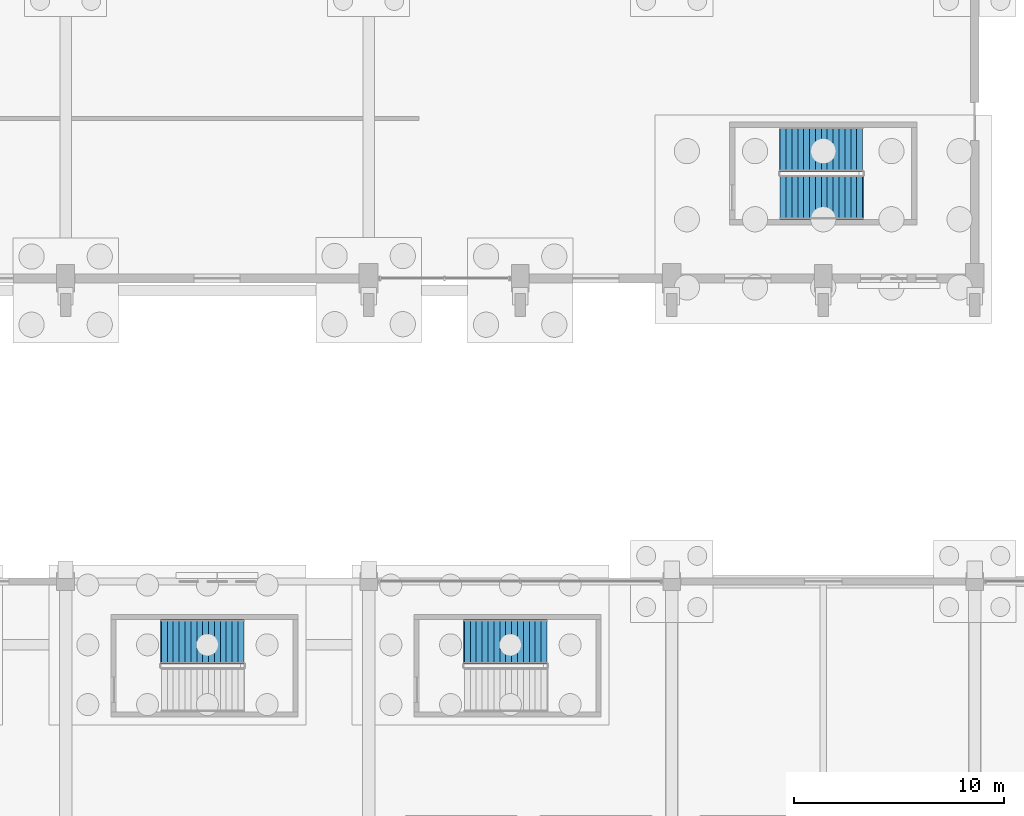
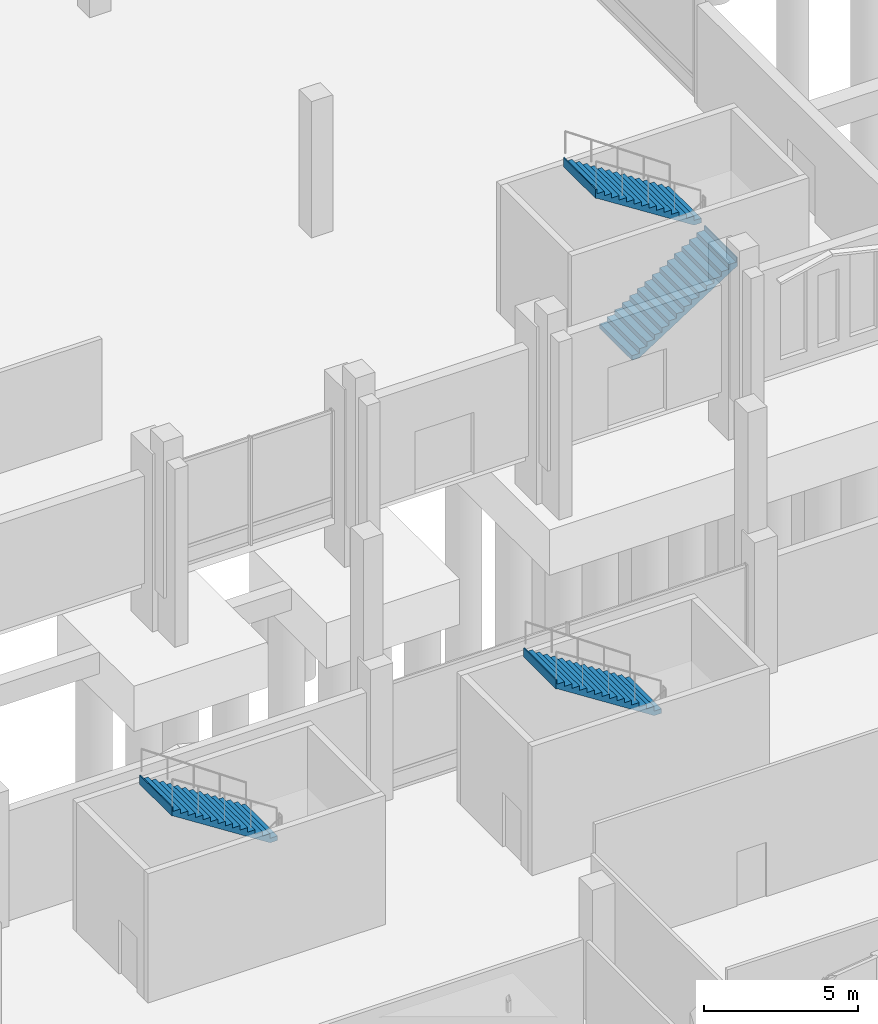
# One storey, part 161 of 192: 4 stair flights, 3 elements without a shape of their own.
"""IFC4 building model written with IfcOpenShell, lengths in metres."""

from ifc_helpers import new_model, si_unit, direction, frame, origin, place, context, subcontext, project, spatial, triangles, material, type_object, element, aggregate, save


model = new_model("IFC4")

# Units and contexts
model_context = context("Model", 3, precision=1e-05, world=origin(), true_north=direction((0.0, 1.0)))
body_context = subcontext(model_context, "Body", "Model", "MODEL_VIEW")
ifc_project = project(units=[si_unit("LENGTHUNIT", "METRE"), si_unit("AREAUNIT", "SQUARE_METRE"), si_unit("VOLUMEUNIT", "CUBIC_METRE"), si_unit("PLANEANGLEUNIT", "RADIAN"), si_unit("MASSUNIT", "GRAM", prefix="KILO")], contexts=[model_context])

# Site, building, storey
site_placement = place(None, origin())
site = spatial("IfcSite", under=ifc_project, at=site_placement, CompositionType="ELEMENT")
building_placement = place(site_placement, origin())
building = spatial("IfcBuilding", under=site, at=building_placement, Name="Cendralis Lancet Convention Centre", CompositionType="ELEMENT")
storey_placement = place(building_placement, origin())
storey = spatial("IfcBuildingStorey", under=building, at=storey_placement, Name="L00", CompositionType="ELEMENT", Elevation=0.0)

# Stair, stair flights
ifc_material = material(Name="Concrete G35 (C35/45)", Category="concrete")
stair_type = type_object("IfcStairType", Name="ARC-ST-CORE", PredefinedType="HALF_TURN_STAIR", material=ifc_material)
stair_1_placement = place(storey_placement, origin())
stair_1 = element("IfcStair", 1, at=stair_1_placement, inside=storey, type_object=stair_type, Name="L00 Protected Exit Stair ST-03", PredefinedType="HALF_TURN_STAIR")
stair_flight_type = type_object("IfcStairFlightType", Name="ARC-SF-CORE", PredefinedType="STRAIGHT", material=ifc_material)
stair_flight_1_placement = place(storey_placement, frame((113.14990234375, 54.25, 0.0), z_axis=(0.0, 0.0, 1.0), x_axis=(1.0, 0.0, 0.0)))
stair_flight_1 = element("IfcStairFlight", 2, at=stair_flight_1_placement, type_object=stair_flight_type, Name="ST-03 flight 1", NumberOfRisers=15, NumberOfTreads=14, PredefinedType="STRAIGHT", RiserHeight=0.18, TreadLength=0.28, context=body_context, shape_type="Tessellation", body=[
    triangles([(0.0, 0.0, 0.09), (0.0, 1.050049, 0.0), (0.0, -1.050049, 0.0), (0.0, -1.050049, 0.18), (0.0, 1.050049, 0.18), (0.138604, 0.0, 0.18), (0.277208, -1.050049, 0.18), (0.277208, 1.050049, 0.18), (0.138604, 0.0, 0.0), (0.277208, -1.050049, 0.0), (0.277208, 1.050049, 0.0), (0.278604, 0.0, 0.18), (0.28, -1.050049, 0.18), (0.28, 1.050049, 0.18), (0.278604, 0.0, 0.000897), (0.28, -1.050049, 0.001795), (0.28, 1.050049, 0.001795), (0.28, 0.0, 0.27), (0.28, -1.050049, 0.36), (0.28, 1.050049, 0.36), (0.42, 0.0, 0.36), (0.56, -1.050049, 0.36), (0.56, 1.050049, 0.36), (0.42, 0.0, 0.091795), (0.56, -1.050049, 0.181795), (0.56, 1.050049, 0.181795), (0.56, 0.0, 0.45), (0.56, -1.050049, 0.54), (0.56, 1.050049, 0.54), (0.7, 0.0, 0.54), (0.84, -1.050049, 0.54), (0.84, 1.050049, 0.54), (0.7, 0.0, 0.271795), (0.84, -1.050049, 0.361795), (0.84, 1.050049, 0.361795), (0.84, 0.0, 0.63), (0.84, -1.050049, 0.72), (0.84, 1.050049, 0.72), (0.98, 0.0, 0.72), (1.12, -1.050049, 0.72), (1.12, 1.050049, 0.72), (0.98, 0.0, 0.451795), (1.12, -1.050049, 0.541795), (1.12, 1.050049, 0.541795), (1.12, 0.0, 0.81), (1.12, -1.050049, 0.9), (1.12, 1.050049, 0.9), (1.26, 0.0, 0.9), (1.4, -1.050049, 0.9), (1.4, 1.050049, 0.9), (1.26, 0.0, 0.631795), (1.4, -1.050049, 0.721795), (1.4, 1.050049, 0.721795), (1.4, 0.0, 0.99), (1.4, -1.050049, 1.08), (1.4, 1.050049, 1.08), (1.54, 0.0, 1.08), (1.68, -1.050049, 1.08), (1.68, 1.050049, 1.08), (1.54, 0.0, 0.811795), (1.68, -1.050049, 0.901795), (1.68, 1.050049, 0.901795), (1.68, 0.0, 1.17), (1.68, -1.050049, 1.26), (1.68, 1.050049, 1.26), (1.82, 0.0, 1.26), (1.96, -1.050049, 1.26), (1.96, 1.050049, 1.26), (1.82, 0.0, 0.991795), (1.96, -1.050049, 1.081795), (1.96, 1.050049, 1.081795), (1.96, 0.0, 1.35), (1.96, -1.050049, 1.44), (1.96, 1.050049, 1.44), (2.1, 0.0, 1.44), (2.24, -1.050049, 1.44), (2.24, 1.050049, 1.44), (2.1, 0.0, 1.171795), (2.24, -1.050049, 1.261795), (2.24, 1.050049, 1.261795), (2.24, 0.0, 1.53), (2.24, -1.050049, 1.62), (2.24, 1.050049, 1.62), (2.38, 0.0, 1.62), (2.52, -1.050049, 1.62), (2.52, 1.050049, 1.62), (2.38, 0.0, 1.351795), (2.52, -1.050049, 1.441795), (2.52, 1.050049, 1.441795), (2.52, 0.0, 1.71), (2.52, -1.050049, 1.8), (2.52, 1.050049, 1.8), (2.66, 0.0, 1.8), (2.8, -1.050049, 1.8), (2.8, 1.050049, 1.8), (2.66, 0.0, 1.531795), (2.8, -1.050049, 1.621795), (2.8, 1.050049, 1.621795), (2.8, 0.0, 1.89), (2.8, -1.050049, 1.98), (2.8, 1.050049, 1.98), (2.94, 0.0, 1.98), (3.08, -1.050049, 1.98), (3.08, 1.050049, 1.98), (2.94, 0.0, 1.711795), (3.08, -1.050049, 1.801795), (3.08, 1.050049, 1.801795), (3.08, 0.0, 2.07), (3.08, -1.050049, 2.16), (3.08, 1.050049, 2.16), (3.22, 0.0, 2.16), (3.36, -1.050049, 2.16), (3.36, 1.050049, 2.16), (3.22, 0.0, 1.891795), (3.36, -1.050049, 1.981795), (3.36, 1.050049, 1.981795), (3.36, 0.0, 2.25), (3.36, -1.050049, 2.34), (3.36, 1.050049, 2.34), (3.5, 0.0, 2.34), (3.64, -1.050049, 2.34), (3.64, 1.050049, 2.34), (3.5, 0.0, 2.071795), (3.64, -1.050049, 2.161795), (3.64, 1.050049, 2.161795), (3.64, 0.0, 2.43), (3.64, -1.050049, 2.52), (3.64, 1.050049, 2.52), (3.78, 0.0, 2.52), (3.92, -1.050049, 2.52), (3.92, 1.050049, 2.52), (3.78, 0.0, 2.251795), (3.92, -1.050049, 2.341795), (3.92, 1.050049, 2.341795), (3.92, 0.0, 2.61), (3.92, -1.050049, 2.7), (3.92, 1.050049, 2.7), (3.94, 0.0, 2.7), (3.96, -1.050049, 2.7), (3.96, 1.050049, 2.7), (3.94, 0.0, 2.341795), (3.96, -1.050049, 2.341795), (3.96, 1.050049, 2.341795), (3.96, 0.0, 2.520898)], [[2, 3, 1], [3, 4, 1], [4, 5, 1], [5, 2, 1], [4, 7, 6], [7, 8, 6], [8, 5, 6], [5, 4, 6], [10, 3, 9], [3, 2, 9], [2, 11, 9], [11, 10, 9], [3, 10, 7], [3, 7, 4], [2, 8, 11], [2, 5, 8], [7, 13, 12], [13, 14, 12], [14, 8, 12], [8, 7, 12], [16, 10, 15], [10, 11, 15], [11, 17, 15], [17, 16, 15], [10, 16, 13], [10, 13, 7], [11, 14, 17], [11, 8, 14], [14, 13, 18], [13, 19, 18], [19, 20, 18], [20, 14, 18], [19, 22, 21], [22, 23, 21], [23, 20, 21], [20, 19, 21], [25, 16, 24], [16, 17, 24], [17, 26, 24], [26, 25, 24], [16, 25, 22], [16, 22, 13], [13, 22, 19], [17, 23, 26], [17, 14, 23], [14, 20, 23], [23, 22, 27], [22, 28, 27], [28, 29, 27], [29, 23, 27], [28, 31, 30], [31, 32, 30], [32, 29, 30], [29, 28, 30], [34, 25, 33], [25, 26, 33], [26, 35, 33], [35, 34, 33], [25, 34, 31], [25, 31, 22], [22, 31, 28], [26, 32, 35], [26, 23, 32], [23, 29, 32], [32, 31, 36], [31, 37, 36], [37, 38, 36], [38, 32, 36], [37, 40, 39], [40, 41, 39], [41, 38, 39], [38, 37, 39], [43, 34, 42], [34, 35, 42], [35, 44, 42], [44, 43, 42], [34, 43, 40], [34, 40, 31], [31, 40, 37], [35, 41, 44], [35, 32, 41], [32, 38, 41], [41, 40, 45], [40, 46, 45], [46, 47, 45], [47, 41, 45], [46, 49, 48], [49, 50, 48], [50, 47, 48], [47, 46, 48], [52, 43, 51], [43, 44, 51], [44, 53, 51], [53, 52, 51], [43, 52, 49], [43, 49, 40], [40, 49, 46], [44, 50, 53], [44, 41, 50], [41, 47, 50], [50, 49, 54], [49, 55, 54], [55, 56, 54], [56, 50, 54], [55, 58, 57], [58, 59, 57], [59, 56, 57], [56, 55, 57], [61, 52, 60], [52, 53, 60], [53, 62, 60], [62, 61, 60], [52, 61, 58], [52, 58, 49], [49, 58, 55], [53, 59, 62], [53, 50, 59], [50, 56, 59], [59, 58, 63], [58, 64, 63], [64, 65, 63], [65, 59, 63], [64, 67, 66], [67, 68, 66], [68, 65, 66], [65, 64, 66], [70, 61, 69], [61, 62, 69], [62, 71, 69], [71, 70, 69], [61, 70, 67], [61, 67, 58], [58, 67, 64], [62, 68, 71], [62, 59, 68], [59, 65, 68], [68, 67, 72], [67, 73, 72], [73, 74, 72], [74, 68, 72], [73, 76, 75], [76, 77, 75], [77, 74, 75], [74, 73, 75], [79, 70, 78], [70, 71, 78], [71, 80, 78], [80, 79, 78], [70, 79, 76], [70, 76, 67], [67, 76, 73], [71, 77, 80], [71, 68, 77], [68, 74, 77], [77, 76, 81], [76, 82, 81], [82, 83, 81], [83, 77, 81], [82, 85, 84], [85, 86, 84], [86, 83, 84], [83, 82, 84], [88, 79, 87], [79, 80, 87], [80, 89, 87], [89, 88, 87], [79, 88, 85], [79, 85, 76], [76, 85, 82], [80, 86, 89], [80, 77, 86], [77, 83, 86], [86, 85, 90], [85, 91, 90], [91, 92, 90], [92, 86, 90], [91, 94, 93], [94, 95, 93], [95, 92, 93], [92, 91, 93], [97, 88, 96], [88, 89, 96], [89, 98, 96], [98, 97, 96], [88, 97, 94], [88, 94, 85], [85, 94, 91], [89, 95, 98], [89, 86, 95], [86, 92, 95], [95, 94, 99], [94, 100, 99], [100, 101, 99], [101, 95, 99], [100, 103, 102], [103, 104, 102], [104, 101, 102], [101, 100, 102], [106, 97, 105], [97, 98, 105], [98, 107, 105], [107, 106, 105], [97, 106, 103], [97, 103, 94], [94, 103, 100], [98, 104, 107], [98, 95, 104], [95, 101, 104], [104, 103, 108], [103, 109, 108], [109, 110, 108], [110, 104, 108], [109, 112, 111], [112, 113, 111], [113, 110, 111], [110, 109, 111], [115, 106, 114], [106, 107, 114], [107, 116, 114], [116, 115, 114], [106, 115, 112], [106, 112, 103], [103, 112, 109], [107, 113, 116], [107, 104, 113], [104, 110, 113], [113, 112, 117], [112, 118, 117], [118, 119, 117], [119, 113, 117], [118, 121, 120], [121, 122, 120], [122, 119, 120], [119, 118, 120], [124, 115, 123], [115, 116, 123], [116, 125, 123], [125, 124, 123], [115, 124, 121], [115, 121, 112], [112, 121, 118], [116, 122, 125], [116, 113, 122], [113, 119, 122], [122, 121, 126], [121, 127, 126], [127, 128, 126], [128, 122, 126], [127, 130, 129], [130, 131, 129], [131, 128, 129], [128, 127, 129], [133, 124, 132], [124, 125, 132], [125, 134, 132], [134, 133, 132], [124, 133, 130], [124, 130, 121], [121, 130, 127], [125, 131, 134], [125, 122, 131], [122, 128, 131], [131, 130, 135], [130, 136, 135], [136, 137, 135], [137, 131, 135], [136, 139, 138], [139, 140, 138], [140, 137, 138], [137, 136, 138], [142, 133, 141], [133, 134, 141], [134, 143, 141], [143, 142, 141], [133, 142, 139], [133, 139, 130], [130, 139, 136], [134, 140, 143], [134, 131, 140], [131, 137, 140], [142, 143, 144], [143, 140, 144], [140, 139, 144], [139, 142, 144]], closed=True),
])
stair_flight_2_placement = place(storey_placement, frame((117.070068359375, 56.530029296875, 2.699951171875), z_axis=(0.0, 0.0, 1.0), x_axis=(-1.0, 0.0, 0.0)))
stair_flight_2 = element("IfcStairFlight", 3, at=stair_flight_2_placement, type_object=stair_flight_type, Name="ST-03 flight 2", NumberOfRisers=15, NumberOfTreads=14, PredefinedType="STRAIGHT", RiserHeight=0.18, TreadLength=0.28, context=body_context, shape_type="Tessellation", body=[
    triangles([(0.0, 0.0, 0.09), (0.0, 1.050049, 0.0), (0.0, -1.050049, 0.0), (0.0, -1.050049, 0.18), (0.0, 1.050049, 0.18), (0.138604, 0.0, 0.18), (0.277208, -1.050049, 0.18), (0.277208, 1.050049, 0.18), (0.138604, 0.0, 0.0), (0.277208, -1.050049, 0.0), (0.277208, 1.050049, 0.0), (0.278604, 0.0, 0.18), (0.28, -1.050049, 0.18), (0.28, 1.050049, 0.18), (0.278604, 0.0, 0.000897), (0.28, -1.050049, 0.001795), (0.28, 1.050049, 0.001795), (0.28, 0.0, 0.27), (0.28, -1.050049, 0.36), (0.28, 1.050049, 0.36), (0.42, 0.0, 0.36), (0.56, -1.050049, 0.36), (0.56, 1.050049, 0.36), (0.42, 0.0, 0.091795), (0.56, -1.050049, 0.181795), (0.56, 1.050049, 0.181795), (0.56, 0.0, 0.45), (0.56, -1.050049, 0.54), (0.56, 1.050049, 0.54), (0.7, 0.0, 0.54), (0.84, -1.050049, 0.54), (0.84, 1.050049, 0.54), (0.7, 0.0, 0.271795), (0.84, -1.050049, 0.361795), (0.84, 1.050049, 0.361795), (0.84, 0.0, 0.63), (0.84, -1.050049, 0.72), (0.84, 1.050049, 0.72), (0.98, 0.0, 0.72), (1.12, -1.050049, 0.72), (1.12, 1.050049, 0.72), (0.98, 0.0, 0.451795), (1.12, -1.050049, 0.541795), (1.12, 1.050049, 0.541795), (1.12, 0.0, 0.81), (1.12, -1.050049, 0.9), (1.12, 1.050049, 0.9), (1.26, 0.0, 0.9), (1.4, -1.050049, 0.9), (1.4, 1.050049, 0.9), (1.26, 0.0, 0.631795), (1.4, -1.050049, 0.721795), (1.4, 1.050049, 0.721795), (1.4, 0.0, 0.99), (1.4, -1.050049, 1.08), (1.4, 1.050049, 1.08), (1.54, 0.0, 1.08), (1.68, -1.050049, 1.08), (1.68, 1.050049, 1.08), (1.54, 0.0, 0.811795), (1.68, -1.050049, 0.901795), (1.68, 1.050049, 0.901795), (1.68, 0.0, 1.17), (1.68, -1.050049, 1.26), (1.68, 1.050049, 1.26), (1.82, 0.0, 1.26), (1.96, -1.050049, 1.26), (1.96, 1.050049, 1.26), (1.82, 0.0, 0.991795), (1.96, -1.050049, 1.081795), (1.96, 1.050049, 1.081795), (1.96, 0.0, 1.35), (1.96, -1.050049, 1.44), (1.96, 1.050049, 1.44), (2.1, 0.0, 1.44), (2.24, -1.050049, 1.44), (2.24, 1.050049, 1.44), (2.1, 0.0, 1.171795), (2.24, -1.050049, 1.261795), (2.24, 1.050049, 1.261795), (2.24, 0.0, 1.53), (2.24, -1.050049, 1.62), (2.24, 1.050049, 1.62), (2.38, 0.0, 1.62), (2.52, -1.050049, 1.62), (2.52, 1.050049, 1.62), (2.38, 0.0, 1.351795), (2.52, -1.050049, 1.441795), (2.52, 1.050049, 1.441795), (2.52, 0.0, 1.71), (2.52, -1.050049, 1.8), (2.52, 1.050049, 1.8), (2.66, 0.0, 1.8), (2.8, -1.050049, 1.8), (2.8, 1.050049, 1.8), (2.66, 0.0, 1.531795), (2.8, -1.050049, 1.621795), (2.8, 1.050049, 1.621795), (2.8, 0.0, 1.89), (2.8, -1.050049, 1.98), (2.8, 1.050049, 1.98), (2.94, 0.0, 1.98), (3.08, -1.050049, 1.98), (3.08, 1.050049, 1.98), (2.94, 0.0, 1.711795), (3.08, -1.050049, 1.801795), (3.08, 1.050049, 1.801795), (3.08, 0.0, 2.07), (3.08, -1.050049, 2.16), (3.08, 1.050049, 2.16), (3.22, 0.0, 2.16), (3.36, -1.050049, 2.16), (3.36, 1.050049, 2.16), (3.22, 0.0, 1.891795), (3.36, -1.050049, 1.981795), (3.36, 1.050049, 1.981795), (3.36, 0.0, 2.25), (3.36, -1.050049, 2.34), (3.36, 1.050049, 2.34), (3.5, 0.0, 2.34), (3.64, -1.050049, 2.34), (3.64, 1.050049, 2.34), (3.5, 0.0, 2.071795), (3.64, -1.050049, 2.161795), (3.64, 1.050049, 2.161795), (3.64, 0.0, 2.43), (3.64, -1.050049, 2.52), (3.64, 1.050049, 2.52), (3.78, 0.0, 2.52), (3.92, -1.050049, 2.52), (3.92, 1.050049, 2.52), (3.78, 0.0, 2.251795), (3.92, -1.050049, 2.341795), (3.92, 1.050049, 2.341795), (3.92, 0.0, 2.61), (3.92, -1.050049, 2.7), (3.92, 1.050049, 2.7), (3.94, 0.0, 2.7), (3.96, -1.050049, 2.7), (3.96, 1.050049, 2.7), (3.94, 0.0, 2.341795), (3.96, -1.050049, 2.341795), (3.96, 1.050049, 2.341795), (3.96, 0.0, 2.520898)], [[2, 3, 1], [3, 4, 1], [4, 5, 1], [5, 2, 1], [4, 7, 6], [7, 8, 6], [8, 5, 6], [5, 4, 6], [10, 3, 9], [3, 2, 9], [2, 11, 9], [11, 10, 9], [3, 10, 7], [3, 7, 4], [2, 8, 11], [2, 5, 8], [7, 13, 12], [13, 14, 12], [14, 8, 12], [8, 7, 12], [16, 10, 15], [10, 11, 15], [11, 17, 15], [17, 16, 15], [10, 16, 13], [10, 13, 7], [11, 14, 17], [11, 8, 14], [14, 13, 18], [13, 19, 18], [19, 20, 18], [20, 14, 18], [19, 22, 21], [22, 23, 21], [23, 20, 21], [20, 19, 21], [25, 16, 24], [16, 17, 24], [17, 26, 24], [26, 25, 24], [16, 25, 22], [16, 22, 13], [13, 22, 19], [17, 23, 26], [17, 14, 23], [14, 20, 23], [23, 22, 27], [22, 28, 27], [28, 29, 27], [29, 23, 27], [28, 31, 30], [31, 32, 30], [32, 29, 30], [29, 28, 30], [34, 25, 33], [25, 26, 33], [26, 35, 33], [35, 34, 33], [25, 34, 31], [25, 31, 22], [22, 31, 28], [26, 32, 35], [26, 23, 32], [23, 29, 32], [32, 31, 36], [31, 37, 36], [37, 38, 36], [38, 32, 36], [37, 40, 39], [40, 41, 39], [41, 38, 39], [38, 37, 39], [43, 34, 42], [34, 35, 42], [35, 44, 42], [44, 43, 42], [34, 43, 40], [34, 40, 31], [31, 40, 37], [35, 41, 44], [35, 32, 41], [32, 38, 41], [41, 40, 45], [40, 46, 45], [46, 47, 45], [47, 41, 45], [46, 49, 48], [49, 50, 48], [50, 47, 48], [47, 46, 48], [52, 43, 51], [43, 44, 51], [44, 53, 51], [53, 52, 51], [43, 52, 49], [43, 49, 40], [40, 49, 46], [44, 50, 53], [44, 41, 50], [41, 47, 50], [50, 49, 54], [49, 55, 54], [55, 56, 54], [56, 50, 54], [55, 58, 57], [58, 59, 57], [59, 56, 57], [56, 55, 57], [61, 52, 60], [52, 53, 60], [53, 62, 60], [62, 61, 60], [52, 61, 58], [52, 58, 49], [49, 58, 55], [53, 59, 62], [53, 50, 59], [50, 56, 59], [59, 58, 63], [58, 64, 63], [64, 65, 63], [65, 59, 63], [64, 67, 66], [67, 68, 66], [68, 65, 66], [65, 64, 66], [70, 61, 69], [61, 62, 69], [62, 71, 69], [71, 70, 69], [61, 70, 67], [61, 67, 58], [58, 67, 64], [62, 68, 71], [62, 59, 68], [59, 65, 68], [68, 67, 72], [67, 73, 72], [73, 74, 72], [74, 68, 72], [73, 76, 75], [76, 77, 75], [77, 74, 75], [74, 73, 75], [79, 70, 78], [70, 71, 78], [71, 80, 78], [80, 79, 78], [70, 79, 76], [70, 76, 67], [67, 76, 73], [71, 77, 80], [71, 68, 77], [68, 74, 77], [77, 76, 81], [76, 82, 81], [82, 83, 81], [83, 77, 81], [82, 85, 84], [85, 86, 84], [86, 83, 84], [83, 82, 84], [88, 79, 87], [79, 80, 87], [80, 89, 87], [89, 88, 87], [79, 88, 85], [79, 85, 76], [76, 85, 82], [80, 86, 89], [80, 77, 86], [77, 83, 86], [86, 85, 90], [85, 91, 90], [91, 92, 90], [92, 86, 90], [91, 94, 93], [94, 95, 93], [95, 92, 93], [92, 91, 93], [97, 88, 96], [88, 89, 96], [89, 98, 96], [98, 97, 96], [88, 97, 94], [88, 94, 85], [85, 94, 91], [89, 95, 98], [89, 86, 95], [86, 92, 95], [95, 94, 99], [94, 100, 99], [100, 101, 99], [101, 95, 99], [100, 103, 102], [103, 104, 102], [104, 101, 102], [101, 100, 102], [106, 97, 105], [97, 98, 105], [98, 107, 105], [107, 106, 105], [97, 106, 103], [97, 103, 94], [94, 103, 100], [98, 104, 107], [98, 95, 104], [95, 101, 104], [104, 103, 108], [103, 109, 108], [109, 110, 108], [110, 104, 108], [109, 112, 111], [112, 113, 111], [113, 110, 111], [110, 109, 111], [115, 106, 114], [106, 107, 114], [107, 116, 114], [116, 115, 114], [106, 115, 112], [106, 112, 103], [103, 112, 109], [107, 113, 116], [107, 104, 113], [104, 110, 113], [113, 112, 117], [112, 118, 117], [118, 119, 117], [119, 113, 117], [118, 121, 120], [121, 122, 120], [122, 119, 120], [119, 118, 120], [124, 115, 123], [115, 116, 123], [116, 125, 123], [125, 124, 123], [115, 124, 121], [115, 121, 112], [112, 121, 118], [116, 122, 125], [116, 113, 122], [113, 119, 122], [122, 121, 126], [121, 127, 126], [127, 128, 126], [128, 122, 126], [127, 130, 129], [130, 131, 129], [131, 128, 129], [128, 127, 129], [133, 124, 132], [124, 125, 132], [125, 134, 132], [134, 133, 132], [124, 133, 130], [124, 130, 121], [121, 130, 127], [125, 131, 134], [125, 122, 131], [122, 128, 131], [131, 130, 135], [130, 136, 135], [136, 137, 135], [137, 131, 135], [136, 139, 138], [139, 140, 138], [140, 137, 138], [137, 136, 138], [142, 133, 141], [133, 134, 141], [134, 143, 141], [143, 142, 141], [133, 142, 139], [133, 139, 130], [130, 139, 136], [134, 140, 143], [134, 131, 140], [131, 137, 140], [142, 143, 144], [143, 140, 144], [140, 139, 144], [139, 142, 144]], closed=True),
])
aggregate(stair_1, [stair_flight_1, stair_flight_2])

# Stair, stair flight
stair_2_placement = place(storey_placement, origin())
stair_2 = element("IfcStair", 4, at=stair_2_placement, inside=storey, type_object=stair_type, Name="L00 Protected Exit Stair ST-18", PredefinedType="HALF_TURN_STAIR")
stair_flight_3_placement = place(storey_placement, frame((102.070068359375, 33.1298828125, 2.699951171875), z_axis=(0.0, 0.0, 1.0), x_axis=(-1.0, 0.0, 0.0)))
stair_flight_3 = element("IfcStairFlight", 5, at=stair_flight_3_placement, type_object=stair_flight_type, Name="ST-18 flight 2", NumberOfRisers=15, NumberOfTreads=14, PredefinedType="STRAIGHT", RiserHeight=0.18, TreadLength=0.28, context=body_context, shape_type="Tessellation", body=[
    triangles([(0.0, 0.0, 0.09), (0.0, 1.050049, 0.0), (0.0, -1.050049, 0.0), (0.0, -1.050049, 0.18), (0.0, 1.050049, 0.18), (0.138604, 0.0, 0.18), (0.277208, -1.050049, 0.18), (0.277208, 1.050049, 0.18), (0.138604, 0.0, 0.0), (0.277208, -1.050049, 0.0), (0.277208, 1.050049, 0.0), (0.278604, 0.0, 0.18), (0.28, -1.050049, 0.18), (0.28, 1.050049, 0.18), (0.278604, 0.0, 0.000897), (0.28, -1.050049, 0.001795), (0.28, 1.050049, 0.001795), (0.28, 0.0, 0.27), (0.28, -1.050049, 0.36), (0.28, 1.050049, 0.36), (0.42, 0.0, 0.36), (0.56, -1.050049, 0.36), (0.56, 1.050049, 0.36), (0.42, 0.0, 0.091795), (0.56, -1.050049, 0.181795), (0.56, 1.050049, 0.181795), (0.56, 0.0, 0.45), (0.56, -1.050049, 0.54), (0.56, 1.050049, 0.54), (0.7, 0.0, 0.54), (0.84, -1.050049, 0.54), (0.84, 1.050049, 0.54), (0.7, 0.0, 0.271795), (0.84, -1.050049, 0.361795), (0.84, 1.050049, 0.361795), (0.84, 0.0, 0.63), (0.84, -1.050049, 0.72), (0.84, 1.050049, 0.72), (0.98, 0.0, 0.72), (1.12, -1.050049, 0.72), (1.12, 1.050049, 0.72), (0.98, 0.0, 0.451795), (1.12, -1.050049, 0.541795), (1.12, 1.050049, 0.541795), (1.12, 0.0, 0.81), (1.12, -1.050049, 0.9), (1.12, 1.050049, 0.9), (1.26, 0.0, 0.9), (1.4, -1.050049, 0.9), (1.4, 1.050049, 0.9), (1.26, 0.0, 0.631795), (1.4, -1.050049, 0.721795), (1.4, 1.050049, 0.721795), (1.4, 0.0, 0.99), (1.4, -1.050049, 1.08), (1.4, 1.050049, 1.08), (1.54, 0.0, 1.08), (1.68, -1.050049, 1.08), (1.68, 1.050049, 1.08), (1.54, 0.0, 0.811795), (1.68, -1.050049, 0.901795), (1.68, 1.050049, 0.901795), (1.68, 0.0, 1.17), (1.68, -1.050049, 1.26), (1.68, 1.050049, 1.26), (1.82, 0.0, 1.26), (1.96, -1.050049, 1.26), (1.96, 1.050049, 1.26), (1.82, 0.0, 0.991795), (1.96, -1.050049, 1.081795), (1.96, 1.050049, 1.081795), (1.96, 0.0, 1.35), (1.96, -1.050049, 1.44), (1.96, 1.050049, 1.44), (2.1, 0.0, 1.44), (2.24, -1.050049, 1.44), (2.24, 1.050049, 1.44), (2.1, 0.0, 1.171795), (2.24, -1.050049, 1.261795), (2.24, 1.050049, 1.261795), (2.24, 0.0, 1.53), (2.24, -1.050049, 1.62), (2.24, 1.050049, 1.62), (2.38, 0.0, 1.62), (2.52, -1.050049, 1.62), (2.52, 1.050049, 1.62), (2.38, 0.0, 1.351795), (2.52, -1.050049, 1.441795), (2.52, 1.050049, 1.441795), (2.52, 0.0, 1.71), (2.52, -1.050049, 1.8), (2.52, 1.050049, 1.8), (2.66, 0.0, 1.8), (2.8, -1.050049, 1.8), (2.8, 1.050049, 1.8), (2.66, 0.0, 1.531795), (2.8, -1.050049, 1.621795), (2.8, 1.050049, 1.621795), (2.8, 0.0, 1.89), (2.8, -1.050049, 1.98), (2.8, 1.050049, 1.98), (2.94, 0.0, 1.98), (3.08, -1.050049, 1.98), (3.08, 1.050049, 1.98), (2.94, 0.0, 1.711795), (3.08, -1.050049, 1.801795), (3.08, 1.050049, 1.801795), (3.08, 0.0, 2.07), (3.08, -1.050049, 2.16), (3.08, 1.050049, 2.16), (3.22, 0.0, 2.16), (3.36, -1.050049, 2.16), (3.36, 1.050049, 2.16), (3.22, 0.0, 1.891795), (3.36, -1.050049, 1.981795), (3.36, 1.050049, 1.981795), (3.36, 0.0, 2.25), (3.36, -1.050049, 2.34), (3.36, 1.050049, 2.34), (3.5, 0.0, 2.34), (3.64, -1.050049, 2.34), (3.64, 1.050049, 2.34), (3.5, 0.0, 2.071795), (3.64, -1.050049, 2.161795), (3.64, 1.050049, 2.161795), (3.64, 0.0, 2.43), (3.64, -1.050049, 2.52), (3.64, 1.050049, 2.52), (3.78, 0.0, 2.52), (3.92, -1.050049, 2.52), (3.92, 1.050049, 2.52), (3.78, 0.0, 2.251795), (3.92, -1.050049, 2.341795), (3.92, 1.050049, 2.341795), (3.92, 0.0, 2.61), (3.92, -1.050049, 2.7), (3.92, 1.050049, 2.7), (3.94, 0.0, 2.7), (3.96, -1.050049, 2.7), (3.96, 1.050049, 2.7), (3.94, 0.0, 2.341795), (3.96, -1.050049, 2.341795), (3.96, 1.050049, 2.341795), (3.96, 0.0, 2.520898)], [[2, 3, 1], [3, 4, 1], [4, 5, 1], [5, 2, 1], [4, 7, 6], [7, 8, 6], [8, 5, 6], [5, 4, 6], [10, 3, 9], [3, 2, 9], [2, 11, 9], [11, 10, 9], [3, 10, 7], [3, 7, 4], [2, 8, 11], [2, 5, 8], [7, 13, 12], [13, 14, 12], [14, 8, 12], [8, 7, 12], [16, 10, 15], [10, 11, 15], [11, 17, 15], [17, 16, 15], [10, 16, 13], [10, 13, 7], [11, 14, 17], [11, 8, 14], [14, 13, 18], [13, 19, 18], [19, 20, 18], [20, 14, 18], [19, 22, 21], [22, 23, 21], [23, 20, 21], [20, 19, 21], [25, 16, 24], [16, 17, 24], [17, 26, 24], [26, 25, 24], [16, 25, 22], [16, 22, 13], [13, 22, 19], [17, 23, 26], [17, 14, 23], [14, 20, 23], [23, 22, 27], [22, 28, 27], [28, 29, 27], [29, 23, 27], [28, 31, 30], [31, 32, 30], [32, 29, 30], [29, 28, 30], [34, 25, 33], [25, 26, 33], [26, 35, 33], [35, 34, 33], [25, 34, 31], [25, 31, 22], [22, 31, 28], [26, 32, 35], [26, 23, 32], [23, 29, 32], [32, 31, 36], [31, 37, 36], [37, 38, 36], [38, 32, 36], [37, 40, 39], [40, 41, 39], [41, 38, 39], [38, 37, 39], [43, 34, 42], [34, 35, 42], [35, 44, 42], [44, 43, 42], [34, 43, 40], [34, 40, 31], [31, 40, 37], [35, 41, 44], [35, 32, 41], [32, 38, 41], [41, 40, 45], [40, 46, 45], [46, 47, 45], [47, 41, 45], [46, 49, 48], [49, 50, 48], [50, 47, 48], [47, 46, 48], [52, 43, 51], [43, 44, 51], [44, 53, 51], [53, 52, 51], [43, 52, 49], [43, 49, 40], [40, 49, 46], [44, 50, 53], [44, 41, 50], [41, 47, 50], [50, 49, 54], [49, 55, 54], [55, 56, 54], [56, 50, 54], [55, 58, 57], [58, 59, 57], [59, 56, 57], [56, 55, 57], [61, 52, 60], [52, 53, 60], [53, 62, 60], [62, 61, 60], [52, 61, 58], [52, 58, 49], [49, 58, 55], [53, 59, 62], [53, 50, 59], [50, 56, 59], [59, 58, 63], [58, 64, 63], [64, 65, 63], [65, 59, 63], [64, 67, 66], [67, 68, 66], [68, 65, 66], [65, 64, 66], [70, 61, 69], [61, 62, 69], [62, 71, 69], [71, 70, 69], [61, 70, 67], [61, 67, 58], [58, 67, 64], [62, 68, 71], [62, 59, 68], [59, 65, 68], [68, 67, 72], [67, 73, 72], [73, 74, 72], [74, 68, 72], [73, 76, 75], [76, 77, 75], [77, 74, 75], [74, 73, 75], [79, 70, 78], [70, 71, 78], [71, 80, 78], [80, 79, 78], [70, 79, 76], [70, 76, 67], [67, 76, 73], [71, 77, 80], [71, 68, 77], [68, 74, 77], [77, 76, 81], [76, 82, 81], [82, 83, 81], [83, 77, 81], [82, 85, 84], [85, 86, 84], [86, 83, 84], [83, 82, 84], [88, 79, 87], [79, 80, 87], [80, 89, 87], [89, 88, 87], [79, 88, 85], [79, 85, 76], [76, 85, 82], [80, 86, 89], [80, 77, 86], [77, 83, 86], [86, 85, 90], [85, 91, 90], [91, 92, 90], [92, 86, 90], [91, 94, 93], [94, 95, 93], [95, 92, 93], [92, 91, 93], [97, 88, 96], [88, 89, 96], [89, 98, 96], [98, 97, 96], [88, 97, 94], [88, 94, 85], [85, 94, 91], [89, 95, 98], [89, 86, 95], [86, 92, 95], [95, 94, 99], [94, 100, 99], [100, 101, 99], [101, 95, 99], [100, 103, 102], [103, 104, 102], [104, 101, 102], [101, 100, 102], [106, 97, 105], [97, 98, 105], [98, 107, 105], [107, 106, 105], [97, 106, 103], [97, 103, 94], [94, 103, 100], [98, 104, 107], [98, 95, 104], [95, 101, 104], [104, 103, 108], [103, 109, 108], [109, 110, 108], [110, 104, 108], [109, 112, 111], [112, 113, 111], [113, 110, 111], [110, 109, 111], [115, 106, 114], [106, 107, 114], [107, 116, 114], [116, 115, 114], [106, 115, 112], [106, 112, 103], [103, 112, 109], [107, 113, 116], [107, 104, 113], [104, 110, 113], [113, 112, 117], [112, 118, 117], [118, 119, 117], [119, 113, 117], [118, 121, 120], [121, 122, 120], [122, 119, 120], [119, 118, 120], [124, 115, 123], [115, 116, 123], [116, 125, 123], [125, 124, 123], [115, 124, 121], [115, 121, 112], [112, 121, 118], [116, 122, 125], [116, 113, 122], [113, 119, 122], [122, 121, 126], [121, 127, 126], [127, 128, 126], [128, 122, 126], [127, 130, 129], [130, 131, 129], [131, 128, 129], [128, 127, 129], [133, 124, 132], [124, 125, 132], [125, 134, 132], [134, 133, 132], [124, 133, 130], [124, 130, 121], [121, 130, 127], [125, 131, 134], [125, 122, 131], [122, 128, 131], [131, 130, 135], [130, 136, 135], [136, 137, 135], [137, 131, 135], [136, 139, 138], [139, 140, 138], [140, 137, 138], [137, 136, 138], [142, 133, 141], [133, 134, 141], [134, 143, 141], [143, 142, 141], [133, 142, 139], [133, 139, 130], [130, 139, 136], [134, 140, 143], [134, 131, 140], [131, 137, 140], [142, 143, 144], [143, 140, 144], [140, 139, 144], [139, 142, 144]], closed=True),
])
aggregate(stair_2, [stair_flight_3])

stair_3_placement = place(storey_placement, origin())
stair_3 = element("IfcStair", 6, at=stair_3_placement, inside=storey, type_object=stair_type, Name="L00 Protected Exit Stair ST-21", PredefinedType="HALF_TURN_STAIR")
stair_flight_4_placement = place(storey_placement, frame((87.669921875, 33.1298828125, 2.699951171875), z_axis=(0.0, 0.0, 1.0), x_axis=(-1.0, 0.0, 0.0)))
stair_flight_4 = element("IfcStairFlight", 7, at=stair_flight_4_placement, type_object=stair_flight_type, Name="ST-21 flight 2", NumberOfRisers=15, NumberOfTreads=14, PredefinedType="STRAIGHT", RiserHeight=0.18, TreadLength=0.28, context=body_context, shape_type="Tessellation", body=[
    triangles([(0.0, 0.0, 0.09), (0.0, 1.050049, 0.0), (0.0, -1.050049, 0.0), (0.0, -1.050049, 0.18), (0.0, 1.050049, 0.18), (0.138604, 0.0, 0.18), (0.277208, -1.050049, 0.18), (0.277208, 1.050049, 0.18), (0.138604, 0.0, 0.0), (0.277208, -1.050049, 0.0), (0.277208, 1.050049, 0.0), (0.278604, 0.0, 0.18), (0.28, -1.050049, 0.18), (0.28, 1.050049, 0.18), (0.278604, 0.0, 0.000897), (0.28, -1.050049, 0.001795), (0.28, 1.050049, 0.001795), (0.28, 0.0, 0.27), (0.28, -1.050049, 0.36), (0.28, 1.050049, 0.36), (0.42, 0.0, 0.36), (0.56, -1.050049, 0.36), (0.56, 1.050049, 0.36), (0.42, 0.0, 0.091795), (0.56, -1.050049, 0.181795), (0.56, 1.050049, 0.181795), (0.56, 0.0, 0.45), (0.56, -1.050049, 0.54), (0.56, 1.050049, 0.54), (0.7, 0.0, 0.54), (0.84, -1.050049, 0.54), (0.84, 1.050049, 0.54), (0.7, 0.0, 0.271795), (0.84, -1.050049, 0.361795), (0.84, 1.050049, 0.361795), (0.84, 0.0, 0.63), (0.84, -1.050049, 0.72), (0.84, 1.050049, 0.72), (0.98, 0.0, 0.72), (1.12, -1.050049, 0.72), (1.12, 1.050049, 0.72), (0.98, 0.0, 0.451795), (1.12, -1.050049, 0.541795), (1.12, 1.050049, 0.541795), (1.12, 0.0, 0.81), (1.12, -1.050049, 0.9), (1.12, 1.050049, 0.9), (1.26, 0.0, 0.9), (1.4, -1.050049, 0.9), (1.4, 1.050049, 0.9), (1.26, 0.0, 0.631795), (1.4, -1.050049, 0.721795), (1.4, 1.050049, 0.721795), (1.4, 0.0, 0.99), (1.4, -1.050049, 1.08), (1.4, 1.050049, 1.08), (1.54, 0.0, 1.08), (1.68, -1.050049, 1.08), (1.68, 1.050049, 1.08), (1.54, 0.0, 0.811795), (1.68, -1.050049, 0.901795), (1.68, 1.050049, 0.901795), (1.68, 0.0, 1.17), (1.68, -1.050049, 1.26), (1.68, 1.050049, 1.26), (1.82, 0.0, 1.26), (1.96, -1.050049, 1.26), (1.96, 1.050049, 1.26), (1.82, 0.0, 0.991795), (1.96, -1.050049, 1.081795), (1.96, 1.050049, 1.081795), (1.96, 0.0, 1.35), (1.96, -1.050049, 1.44), (1.96, 1.050049, 1.44), (2.1, 0.0, 1.44), (2.24, -1.050049, 1.44), (2.24, 1.050049, 1.44), (2.1, 0.0, 1.171795), (2.24, -1.050049, 1.261795), (2.24, 1.050049, 1.261795), (2.24, 0.0, 1.53), (2.24, -1.050049, 1.62), (2.24, 1.050049, 1.62), (2.38, 0.0, 1.62), (2.52, -1.050049, 1.62), (2.52, 1.050049, 1.62), (2.38, 0.0, 1.351795), (2.52, -1.050049, 1.441795), (2.52, 1.050049, 1.441795), (2.52, 0.0, 1.71), (2.52, -1.050049, 1.8), (2.52, 1.050049, 1.8), (2.66, 0.0, 1.8), (2.8, -1.050049, 1.8), (2.8, 1.050049, 1.8), (2.66, 0.0, 1.531795), (2.8, -1.050049, 1.621795), (2.8, 1.050049, 1.621795), (2.8, 0.0, 1.89), (2.8, -1.050049, 1.98), (2.8, 1.050049, 1.98), (2.94, 0.0, 1.98), (3.08, -1.050049, 1.98), (3.08, 1.050049, 1.98), (2.94, 0.0, 1.711795), (3.08, -1.050049, 1.801795), (3.08, 1.050049, 1.801795), (3.08, 0.0, 2.07), (3.08, -1.050049, 2.16), (3.08, 1.050049, 2.16), (3.22, 0.0, 2.16), (3.36, -1.050049, 2.16), (3.36, 1.050049, 2.16), (3.22, 0.0, 1.891795), (3.36, -1.050049, 1.981795), (3.36, 1.050049, 1.981795), (3.36, 0.0, 2.25), (3.36, -1.050049, 2.34), (3.36, 1.050049, 2.34), (3.5, 0.0, 2.34), (3.64, -1.050049, 2.34), (3.64, 1.050049, 2.34), (3.5, 0.0, 2.071795), (3.64, -1.050049, 2.161795), (3.64, 1.050049, 2.161795), (3.64, 0.0, 2.43), (3.64, -1.050049, 2.52), (3.64, 1.050049, 2.52), (3.78, 0.0, 2.52), (3.92, -1.050049, 2.52), (3.92, 1.050049, 2.52), (3.78, 0.0, 2.251795), (3.92, -1.050049, 2.341795), (3.92, 1.050049, 2.341795), (3.92, 0.0, 2.61), (3.92, -1.050049, 2.7), (3.92, 1.050049, 2.7), (3.94, 0.0, 2.7), (3.96, -1.050049, 2.7), (3.96, 1.050049, 2.7), (3.94, 0.0, 2.341795), (3.96, -1.050049, 2.341795), (3.96, 1.050049, 2.341795), (3.96, 0.0, 2.520898)], [[2, 3, 1], [3, 4, 1], [4, 5, 1], [5, 2, 1], [4, 7, 6], [7, 8, 6], [8, 5, 6], [5, 4, 6], [10, 3, 9], [3, 2, 9], [2, 11, 9], [11, 10, 9], [3, 10, 7], [3, 7, 4], [2, 8, 11], [2, 5, 8], [7, 13, 12], [13, 14, 12], [14, 8, 12], [8, 7, 12], [16, 10, 15], [10, 11, 15], [11, 17, 15], [17, 16, 15], [10, 16, 13], [10, 13, 7], [11, 14, 17], [11, 8, 14], [14, 13, 18], [13, 19, 18], [19, 20, 18], [20, 14, 18], [19, 22, 21], [22, 23, 21], [23, 20, 21], [20, 19, 21], [25, 16, 24], [16, 17, 24], [17, 26, 24], [26, 25, 24], [16, 25, 22], [16, 22, 13], [13, 22, 19], [17, 23, 26], [17, 14, 23], [14, 20, 23], [23, 22, 27], [22, 28, 27], [28, 29, 27], [29, 23, 27], [28, 31, 30], [31, 32, 30], [32, 29, 30], [29, 28, 30], [34, 25, 33], [25, 26, 33], [26, 35, 33], [35, 34, 33], [25, 34, 31], [25, 31, 22], [22, 31, 28], [26, 32, 35], [26, 23, 32], [23, 29, 32], [32, 31, 36], [31, 37, 36], [37, 38, 36], [38, 32, 36], [37, 40, 39], [40, 41, 39], [41, 38, 39], [38, 37, 39], [43, 34, 42], [34, 35, 42], [35, 44, 42], [44, 43, 42], [34, 43, 40], [34, 40, 31], [31, 40, 37], [35, 41, 44], [35, 32, 41], [32, 38, 41], [41, 40, 45], [40, 46, 45], [46, 47, 45], [47, 41, 45], [46, 49, 48], [49, 50, 48], [50, 47, 48], [47, 46, 48], [52, 43, 51], [43, 44, 51], [44, 53, 51], [53, 52, 51], [43, 52, 49], [43, 49, 40], [40, 49, 46], [44, 50, 53], [44, 41, 50], [41, 47, 50], [50, 49, 54], [49, 55, 54], [55, 56, 54], [56, 50, 54], [55, 58, 57], [58, 59, 57], [59, 56, 57], [56, 55, 57], [61, 52, 60], [52, 53, 60], [53, 62, 60], [62, 61, 60], [52, 61, 58], [52, 58, 49], [49, 58, 55], [53, 59, 62], [53, 50, 59], [50, 56, 59], [59, 58, 63], [58, 64, 63], [64, 65, 63], [65, 59, 63], [64, 67, 66], [67, 68, 66], [68, 65, 66], [65, 64, 66], [70, 61, 69], [61, 62, 69], [62, 71, 69], [71, 70, 69], [61, 70, 67], [61, 67, 58], [58, 67, 64], [62, 68, 71], [62, 59, 68], [59, 65, 68], [68, 67, 72], [67, 73, 72], [73, 74, 72], [74, 68, 72], [73, 76, 75], [76, 77, 75], [77, 74, 75], [74, 73, 75], [79, 70, 78], [70, 71, 78], [71, 80, 78], [80, 79, 78], [70, 79, 76], [70, 76, 67], [67, 76, 73], [71, 77, 80], [71, 68, 77], [68, 74, 77], [77, 76, 81], [76, 82, 81], [82, 83, 81], [83, 77, 81], [82, 85, 84], [85, 86, 84], [86, 83, 84], [83, 82, 84], [88, 79, 87], [79, 80, 87], [80, 89, 87], [89, 88, 87], [79, 88, 85], [79, 85, 76], [76, 85, 82], [80, 86, 89], [80, 77, 86], [77, 83, 86], [86, 85, 90], [85, 91, 90], [91, 92, 90], [92, 86, 90], [91, 94, 93], [94, 95, 93], [95, 92, 93], [92, 91, 93], [97, 88, 96], [88, 89, 96], [89, 98, 96], [98, 97, 96], [88, 97, 94], [88, 94, 85], [85, 94, 91], [89, 95, 98], [89, 86, 95], [86, 92, 95], [95, 94, 99], [94, 100, 99], [100, 101, 99], [101, 95, 99], [100, 103, 102], [103, 104, 102], [104, 101, 102], [101, 100, 102], [106, 97, 105], [97, 98, 105], [98, 107, 105], [107, 106, 105], [97, 106, 103], [97, 103, 94], [94, 103, 100], [98, 104, 107], [98, 95, 104], [95, 101, 104], [104, 103, 108], [103, 109, 108], [109, 110, 108], [110, 104, 108], [109, 112, 111], [112, 113, 111], [113, 110, 111], [110, 109, 111], [115, 106, 114], [106, 107, 114], [107, 116, 114], [116, 115, 114], [106, 115, 112], [106, 112, 103], [103, 112, 109], [107, 113, 116], [107, 104, 113], [104, 110, 113], [113, 112, 117], [112, 118, 117], [118, 119, 117], [119, 113, 117], [118, 121, 120], [121, 122, 120], [122, 119, 120], [119, 118, 120], [124, 115, 123], [115, 116, 123], [116, 125, 123], [125, 124, 123], [115, 124, 121], [115, 121, 112], [112, 121, 118], [116, 122, 125], [116, 113, 122], [113, 119, 122], [122, 121, 126], [121, 127, 126], [127, 128, 126], [128, 122, 126], [127, 130, 129], [130, 131, 129], [131, 128, 129], [128, 127, 129], [133, 124, 132], [124, 125, 132], [125, 134, 132], [134, 133, 132], [124, 133, 130], [124, 130, 121], [121, 130, 127], [125, 131, 134], [125, 122, 131], [122, 128, 131], [131, 130, 135], [130, 136, 135], [136, 137, 135], [137, 131, 135], [136, 139, 138], [139, 140, 138], [140, 137, 138], [137, 136, 138], [142, 133, 141], [133, 134, 141], [134, 143, 141], [143, 142, 141], [133, 142, 139], [133, 139, 130], [130, 139, 136], [134, 140, 143], [134, 131, 140], [131, 137, 140], [142, 143, 144], [143, 140, 144], [140, 139, 144], [139, 142, 144]], closed=True),
])
aggregate(stair_3, [stair_flight_4])

save(model, "model.ifc")
